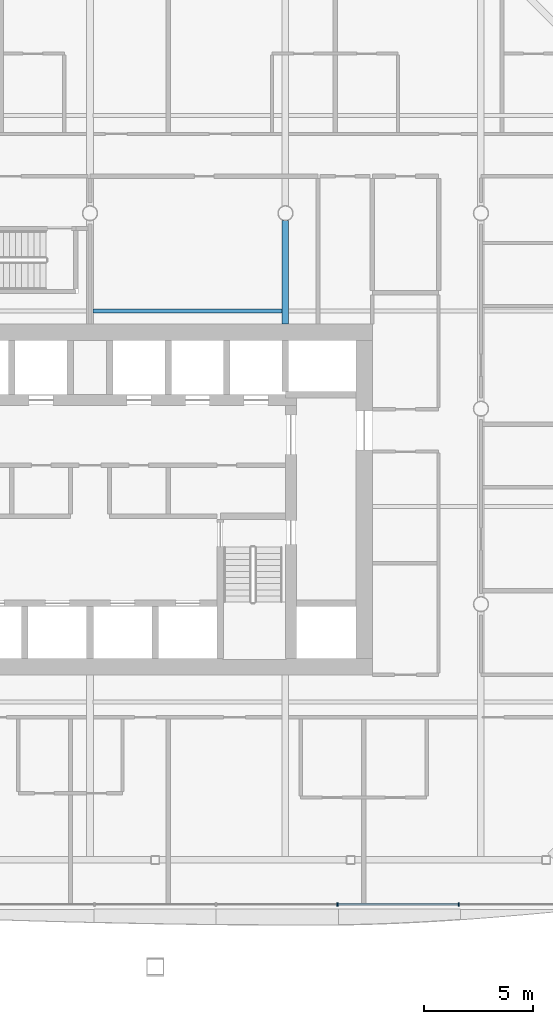
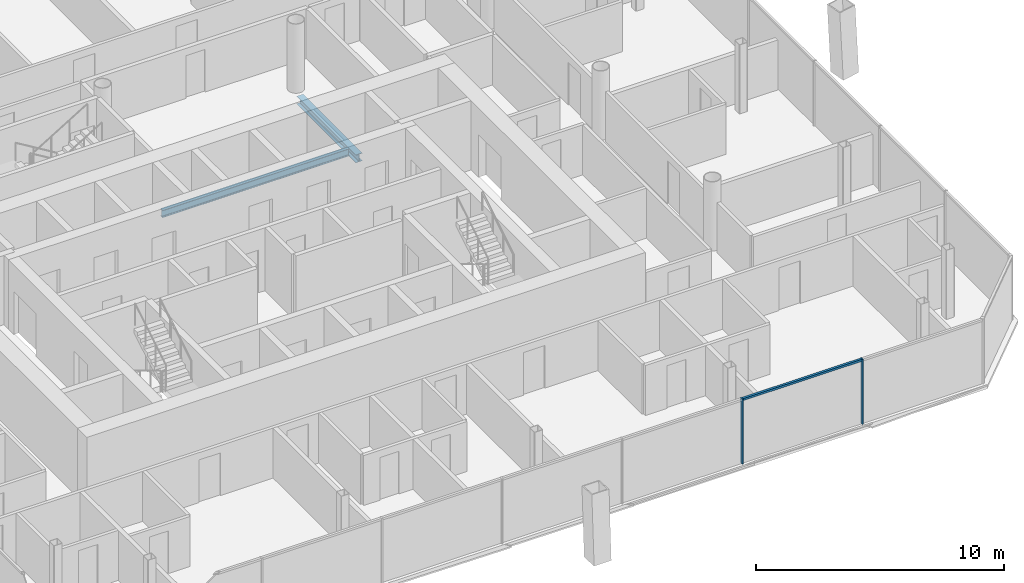
# One storey, part 6 of 21: 3 members, 2 beams, 1 element without a shape of its own.
"""IFC4 building model written with IfcOpenShell, lengths in metres."""

from ifc_helpers import new_model, si_unit, direction, frame, origin, origin_2d, place, context, subcontext, project, spatial, rectangle, i_section, extrude, material, material_profile, profile_set, type_object, element, aggregate, save


model = new_model("IFC4")

# Units and contexts
model_context = context("Model", 3, precision=1e-05, world=origin(), true_north=direction((0.0, 1.0)))
body_context = subcontext(model_context, "Body", "Model", "MODEL_VIEW")
ifc_project = project(units=[si_unit("LENGTHUNIT", "METRE"), si_unit("AREAUNIT", "SQUARE_METRE"), si_unit("VOLUMEUNIT", "CUBIC_METRE"), si_unit("PLANEANGLEUNIT", "RADIAN"), si_unit("MASSUNIT", "GRAM", prefix="KILO")], contexts=[model_context])

# Site, building, storey
site_placement = place(None, origin())
site = spatial("IfcSite", under=ifc_project, at=site_placement, CompositionType="ELEMENT")
building_placement = place(site_placement, origin())
building = spatial("IfcBuilding", under=site, at=building_placement, Name="Tskaro Facet Tower", CompositionType="ELEMENT")
storey_placement = place(building_placement, frame((0.0, 0.0, 135.10009765625)))
storey = spatial("IfcBuildingStorey", under=building, at=storey_placement, Name="L32", CompositionType="ELEMENT", Elevation=135.10009765625)

# Curtain wall, members
ifc_material_1 = material(Name="Bronze anodised aluminium 6063-T6", Category="aluminium")
curtain_wall_type = type_object("IfcCurtainWallType", Name="Bronze hotel curtain wall (FW2)", PredefinedType="NOTDEFINED", material=ifc_material_1)
curtain_wall_placement = place(storey_placement, origin())
curtain_wall = element("IfcCurtainWall", 1, at=curtain_wall_placement, inside=storey, type_object=curtain_wall_type, Name="FW2 south facet L32", PredefinedType="NOTDEFINED")
ifc_material_profile_1 = material_profile(ifc_material_1, rectangle(XDim=0.06005859375, YDim=0.14990234375, at=origin_2d()), Name="Mullion 60x150")
ifc_profile_set_1 = profile_set([ifc_material_profile_1], Name="Bronze anodised aluminium 6063-T6")
member_type_1 = type_object("IfcMemberType", Name="FW2 bronze mullion 60x150", PredefinedType="MULLION", material=ifc_profile_set_1)
member_1_placement = place(storey_placement, frame((11.388916015625, -22.820068359375, 0.0), z_axis=(0.0, 0.0, 1.0), x_axis=(1.0, 0.0, 0.0)))
member_1 = element("IfcMember", 2, at=member_1_placement, type_object=member_type_1, Name="FW2 south mullion 5", PredefinedType="MULLION", context=body_context, shape_type="SweptSolid", body=[
    extrude(rectangle(XDim=0.06005859375, YDim=0.14990234375, at=origin_2d()), origin(), (0.0, 0.0, 1.0), 3.199951171875),
])
member_2_placement = place(storey_placement, frame((16.9814453125, -22.820068359375, 0.0), z_axis=(0.0, 0.0, 1.0), x_axis=(1.0, 0.0, 0.0)))
member_2 = element("IfcMember", 3, at=member_2_placement, type_object=member_type_1, Name="FW2 south mullion 6", PredefinedType="MULLION", context=body_context, shape_type="SweptSolid", body=[
    extrude(rectangle(XDim=0.06005859375, YDim=0.14990234375, at=origin_2d()), origin(), (0.0, 0.0, 1.0), 3.199951171875),
])
ifc_material_profile_2 = material_profile(ifc_material_1, rectangle(XDim=0.110107421875, YDim=0.10009765625, at=origin_2d()), Name="Transom 110x100")
ifc_profile_set_2 = profile_set([ifc_material_profile_2], Name="Bronze anodised aluminium 6063-T6")
member_type_2 = type_object("IfcMemberType", Name="FW2 bronze transom 110x100", PredefinedType="USERDEFINED", material=ifc_profile_set_2)
member_3_placement = place(storey_placement, frame((11.4189453125, -22.820068359375, 3.14990234375), z_axis=(1.0, 0.0, 0.0), x_axis=(0.0, 1.0, 0.0)))
member_3 = element("IfcMember", 4, at=member_3_placement, type_object=member_type_2, Name="FW2 south transom 6.1", ObjectType="TRANSOM", PredefinedType="USERDEFINED", context=body_context, shape_type="SweptSolid", body=[
    extrude(rectangle(XDim=0.110107421875, YDim=0.10009765625, at=origin_2d()), origin(), (0.0, 0.0, 1.0), 5.532470703125),
])
aggregate(curtain_wall, [member_1, member_2, member_3])

# Beams
ifc_material_2 = material(Name="Steel S355J2", Category="steel")
ifc_material_profile_3 = material_profile(ifc_material_2, i_section(OverallWidth=0.300048828125, OverallDepth=0.389892578125, WebThickness=0.010986328125, FlangeThickness=0.01904296875, FilletRadius=0.027099609375, at=origin_2d()), Name="HE 400 A")
ifc_profile_set_3 = profile_set([ifc_material_profile_3], Name="Steel S355J2")
beam_type_1 = type_object("IfcBeamType", Name="HE 400 A girder", PredefinedType="BEAM", material=ifc_profile_set_3)
beam_1_placement = place(storey_placement, frame((9.0, 3.89990234375, -0.335205078125), z_axis=(0.0, 1.0, 0.0), x_axis=(-1.0, 0.0, 0.0)))
element("IfcBeam", 5, at=beam_1_placement, inside=storey, type_object=beam_type_1, Name="HE 400 A GB5-2-3", PredefinedType="BEAM", context=body_context, shape_type="SweptSolid", body=[
    extrude(i_section(OverallWidth=0.300048828125, OverallDepth=0.389892578125, WebThickness=0.010986328125, FlangeThickness=0.01904296875, FilletRadius=0.027099609375, at=origin_2d()), origin(), (0.0, 0.0, 1.0), 4.774658203125),
])
ifc_material_profile_4 = material_profile(ifc_material_2, i_section(OverallWidth=0.169921875, OverallDepth=0.360107421875, WebThickness=0.008056640625, FlangeThickness=0.0126953125, FilletRadius=0.01806640625, at=origin_2d()), Name="IPE 360")
ifc_profile_set_4 = profile_set([ifc_material_profile_4], Name="Steel S355J2")
beam_type_2 = type_object("IfcBeamType", Name="IPE 360 secondary beam", PredefinedType="BEAM", material=ifc_profile_set_4)
beam_2_placement = place(storey_placement, frame((0.14990234375, 4.5, -0.320068359375), z_axis=(1.0, 0.0, 0.0), x_axis=(0.0, 1.0, 0.0)))
element("IfcBeam", 6, at=beam_2_placement, inside=storey, type_object=beam_type_2, Name="IPE 360 SB4a-3-3", PredefinedType="BEAM", context=body_context, shape_type="SweptSolid", body=[
    extrude(i_section(OverallWidth=0.169921875, OverallDepth=0.360107421875, WebThickness=0.008056640625, FlangeThickness=0.0126953125, FilletRadius=0.01806640625, at=origin_2d()), origin(), (0.0, 0.0, 1.0), 8.7001953125),
])

save(model, "model.ifc")
